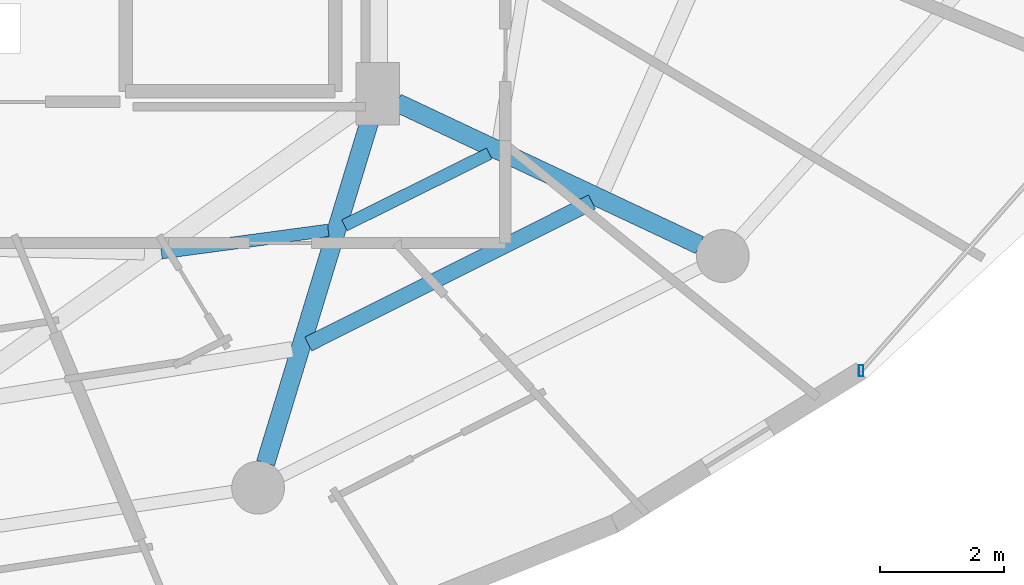
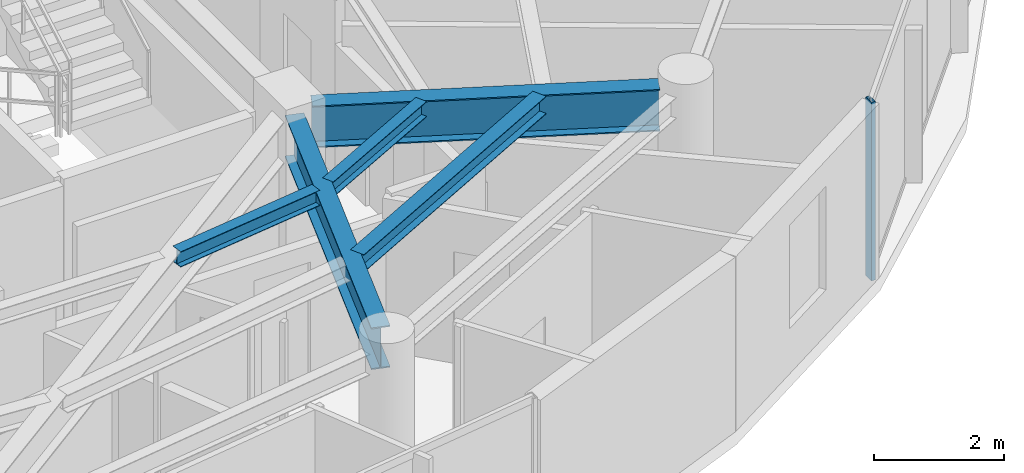
# One storey, part 12 of 31: 5 beams, 1 member, 1 element without a shape of its own.
"""IFC4 building model written with IfcOpenShell, lengths in metres."""

import ifcopenshell
import ifcopenshell.guid

model = None  # the IFC model being written
_history = None  # IfcOwnerHistory: only IFC2X3 demands one
_inside = {}  # id of a spatial element -> (the spatial element, [elements in it])
_under = {}  # id of a project, library or spatial element -> (it, [spatial elements below it])
_declared = {}  # id of a project -> (the project, [libraries it declares])
_typed = {}  # id of a type object -> (the type object, [elements of that type])
_made_of = {}  # id of a material, layer set ... -> (it, [elements and type objects made of it])


def new_model(schema):
    """Start an empty IFC model of exactly this schema.

    Asked for "IFC4X3", IfcOpenShell would pick the latest addendum, in which some entities
    have other attributes; the version numbers below select the first issue.
    IFC2X3 requires an IfcOwnerHistory on every rooted entity: one is made here for all.
    """
    global model, _history
    if schema == "IFC4X3":
        model = ifcopenshell.file(schema_version=(4, 3, 0, 0))
    else:
        model = ifcopenshell.file(schema=schema)
    _inside.clear()
    _under.clear()
    _declared.clear()
    _typed.clear()
    _made_of.clear()
    _history = None
    if model.schema == "IFC2X3":
        org = make("IfcOrganization", Name="unknown")
        user = make(
            "IfcPersonAndOrganization",
            ThePerson=make("IfcPerson", FamilyName="unknown"),
            TheOrganization=org,
        )
        app = make(
            "IfcApplication",
            ApplicationDeveloper=org,
            Version="unknown",
            ApplicationFullName="unknown",
            ApplicationIdentifier="unknown",
        )
        _history = make(
            "IfcOwnerHistory",
            OwningUser=user,
            OwningApplication=app,
            ChangeAction="ADDED",
            CreationDate=0,
        )
    return model


def make(cls, **values):
    """One entity of the class cls with the attributes given. An attribute that is None is left unset."""
    return model.create_entity(
        cls, **{name: value for name, value in values.items() if value is not None}
    )


def rooted(cls, **values):
    """An entity with a GlobalId (a new one), such as an element, a storey or a relation."""
    return make(cls, GlobalId=ifcopenshell.guid.new(), OwnerHistory=_history, **values)


def si_unit(unit_type, name, prefix=None):
    """IfcSIUnit, for example si_unit("LENGTHUNIT", "METRE", prefix="MILLI")."""
    return make("IfcSIUnit", UnitType=unit_type, Prefix=prefix, Name=name)


def assignment(units):
    """IfcUnitAssignment: the units of a project."""
    return None if units is None else make("IfcUnitAssignment", Units=units)


def point(xyz):
    """IfcCartesianPoint."""
    return None if xyz is None else make("IfcCartesianPoint", Coordinates=xyz)


def direction(xyz):
    """IfcDirection."""
    return None if xyz is None else make("IfcDirection", DirectionRatios=xyz)


def frame(location, z_axis=None, x_axis=None):
    """IfcAxis2Placement3D, a coordinate frame: its origin and axes. An axis left out is left unset."""
    return make(
        "IfcAxis2Placement3D",
        Location=point(location),
        Axis=direction(z_axis),
        RefDirection=direction(x_axis),
    )


def frame_2d(location, x_axis=None):
    """IfcAxis2Placement2D, a coordinate frame in the plane: its origin and x axis."""
    return make(
        "IfcAxis2Placement2D", Location=point(location), RefDirection=direction(x_axis)
    )


def origin():
    """The frame at (0, 0, 0) with its axes left unset."""
    return frame((0.0, 0.0, 0.0))


def origin_2d():
    """The frame at (0, 0) in the plane with its x axis left unset."""
    return frame_2d((0.0, 0.0))


def place(relative_to, where):
    """IfcLocalPlacement: puts the frame where relative to a parent placement (None: the world)."""
    return make(
        "IfcLocalPlacement", PlacementRelTo=relative_to, RelativePlacement=where
    )


def context(
    kind, dimensions, precision=None, world=None, true_north=None, identifier=None
):
    """IfcGeometricRepresentationContext, for example the 3D "Model" context."""
    return make(
        "IfcGeometricRepresentationContext",
        ContextIdentifier=identifier,
        ContextType=kind,
        CoordinateSpaceDimension=dimensions,
        Precision=precision,
        WorldCoordinateSystem=world,
        TrueNorth=true_north,
    )


def subcontext(parent, identifier, kind, view, scale=None):
    """IfcGeometricRepresentationSubContext, for example "Body" below "Model"."""
    return make(
        "IfcGeometricRepresentationSubContext",
        ContextIdentifier=identifier,
        ContextType=kind,
        ParentContext=parent,
        TargetScale=scale,
        TargetView=view,
    )


def project(units=None, contexts=None):
    """IfcProject with its units and contexts."""
    return rooted(
        "IfcProject",
        Name="project",
        RepresentationContexts=contexts,
        UnitsInContext=assignment(units),
    )


def spatial(cls, under=None, at=None, **own):
    """A site, building, storey or space (cls), placed at a placement, below another one or the project."""
    s = rooted(cls, ObjectPlacement=at, **own)
    if under is not None:
        _under.setdefault(under.id(), (under, []))[1].append(s)
    return s


def profile(cls, at=None, kind="AREA", **sizes):
    """A parametric profile (cls). Its sizes go by their IFC names, for example OverallWidth=200.0."""
    return make(cls, ProfileType=kind, Position=at, **sizes)


def hollow_rectangle(**sizes):
    """IfcRectangleHollowProfileDef."""
    return profile("IfcRectangleHollowProfileDef", **sizes)


def i_section(**sizes):
    """IfcIShapeProfileDef."""
    return profile("IfcIShapeProfileDef", **sizes)


def extrude(swept, where, along, depth):
    """IfcExtrudedAreaSolid: the profile swept, set in the frame where, extruded along a direction by depth."""
    return make(
        "IfcExtrudedAreaSolid",
        SweptArea=swept,
        Position=where,
        ExtrudedDirection=direction(along),
        Depth=depth,
    )


def shape(context_of_items, identifier, shape_type, items):
    """IfcShapeRepresentation: the items that make up one representation, for example the "Body"."""
    return make(
        "IfcShapeRepresentation",
        ContextOfItems=context_of_items,
        RepresentationIdentifier=identifier,
        RepresentationType=shape_type,
        Items=items,
    )


def material(Name=None, Category=None):
    """IfcMaterial."""
    return make("IfcMaterial", Name=Name, Category=Category)


def material_profile(
    of_material, cross_section, Name=None, Category=None, Priority=None
):
    """IfcMaterialProfile: a cross section and its material."""
    return make(
        "IfcMaterialProfile",
        Name=Name,
        Material=of_material,
        Profile=cross_section,
        Priority=Priority,
        Category=Category,
    )


def profile_set(profiles, Name=None, composite=None):
    """IfcMaterialProfileSet."""
    return make(
        "IfcMaterialProfileSet",
        Name=Name,
        MaterialProfiles=profiles,
        CompositeProfile=composite,
    )


def made_of(thing, what):
    """Note that an element or type object is made of a material, layer set ...; save() writes the relation."""
    if what is not None:
        _made_of.setdefault(what.id(), (what, []))[1].append(thing)
    return thing


def type_object(cls, material=None, **own):
    """A type object (cls), such as IfcWallType, which elements share."""
    return made_of(rooted(cls, **own), material)


def element(
    cls,
    number,
    at=None,
    inside=None,
    cuts=None,
    type_object=None,
    material=None,
    context=None,
    identifier="Body",
    shape_type=None,
    held_by="IfcProductDefinitionShape",
    body=None,
    shapes=None,
    **own,
):
    """One element of the class cls, such as IfcWall. Its Tag is "e" and its number.

    at: its placement. inside: the storey or other place that contains it. cuts: it is an
    opening in that element (IfcRelVoidsElement). A single representation is given by context,
    identifier, shape_type and body (its items); several are given by shapes. held_by: the class
    of the entity that holds the representations. save() writes the other relations.
    """
    e = rooted(cls, Tag="e%d" % number, ObjectPlacement=at, **own)
    if body is not None:
        shapes = [shape(context, identifier, shape_type, body)]
    if shapes is not None:
        e.Representation = make(held_by, Representations=shapes)
    if inside is not None:
        _inside.setdefault(inside.id(), (inside, []))[1].append(e)
    if cuts is not None:
        rooted(
            "IfcRelVoidsElement", RelatingBuildingElement=cuts, RelatedOpeningElement=e
        )
    if type_object is not None:
        _typed.setdefault(type_object.id(), (type_object, []))[1].append(e)
    return made_of(e, material)


def aggregate(whole, parts):
    """IfcRelAggregates: a whole, such as a stair, and the parts it consists of."""
    return rooted("IfcRelAggregates", RelatingObject=whole, RelatedObjects=parts)


def save(model, path):
    """Write the relations noted so far, then the file.

    IfcRelAggregates (storeys below a building ...), IfcRelContainedInSpatialStructure (elements
    in a storey), IfcRelDefinesByType, IfcRelAssociatesMaterial and IfcRelDeclares: one each for
    every whole, place, type object, material and project.
    """
    for whole, parts in _under.values():
        aggregate(whole, parts)
    for where, things in _inside.values():
        rooted(
            "IfcRelContainedInSpatialStructure",
            RelatedElements=things,
            RelatingStructure=where,
        )
    for kind, things in _typed.values():
        rooted("IfcRelDefinesByType", RelatedObjects=things, RelatingType=kind)
    for what, things in _made_of.values():
        rooted("IfcRelAssociatesMaterial", RelatedObjects=things, RelatingMaterial=what)
    for by, libraries in _declared.values():
        rooted("IfcRelDeclares", RelatingContext=by, RelatedDefinitions=libraries)
    model.write(path)


model = new_model("IFC4")

# Units and contexts
model_context = context("Model", 3, precision=1e-05, world=origin(), true_north=direction((0.0, 1.0)))
body_context = subcontext(model_context, "Body", "Model", "MODEL_VIEW")
ifc_project = project(units=[si_unit("LENGTHUNIT", "METRE"), si_unit("AREAUNIT", "SQUARE_METRE"), si_unit("VOLUMEUNIT", "CUBIC_METRE"), si_unit("PLANEANGLEUNIT", "RADIAN"), si_unit("MASSUNIT", "GRAM", prefix="KILO")], contexts=[model_context])

# Site, building, storey
site_placement = place(None, origin())
site = spatial("IfcSite", under=ifc_project, at=site_placement, CompositionType="ELEMENT")
building_placement = place(site_placement, origin())
building = spatial("IfcBuilding", under=site, at=building_placement, Name="Vorneva Point Tower", CompositionType="ELEMENT")
storey_placement = place(building_placement, frame((0.0, 0.0, 266.199951171875)))
storey = spatial("IfcBuildingStorey", under=building, at=storey_placement, Name="L72", CompositionType="ELEMENT", Elevation=266.199951171875)

# Beams
ifc_material_1 = material(Name="Steel S355", Category="steel")
ifc_material_profile_1 = material_profile(ifc_material_1, i_section(OverallWidth=0.300048828125, OverallDepth=0.7880859375, WebThickness=0.014404296875, FlangeThickness=0.02197265625, at=origin_2d()), Name="80Sh1")
ifc_profile_set_1 = profile_set([ifc_material_profile_1], Name="Steel S355")
beam_type_1 = type_object("IfcBeamType", Name="BM-GRD-80Sh1", PredefinedType="USERDEFINED", material=ifc_profile_set_1)
beam_1_placement = place(storey_placement, frame((46.941162109375, 10.50439453125, 2.89599609375), z_axis=(0.291032624293, 0.956713129207, 0.0), x_axis=(-0.956713129207, 0.291032624293, 0.0)))
element("IfcBeam", 1, at=beam_1_placement, inside=storey, type_object=beam_type_1, Name="L72 Radial Primary Girder 14", ObjectType="GIRDER", PredefinedType="USERDEFINED", context=body_context, shape_type="SweptSolid", body=[
    extrude(i_section(OverallWidth=0.300048828125, OverallDepth=0.7880859375, WebThickness=0.014404296875, FlangeThickness=0.02197265625, at=origin_2d()), origin(), (0.0, 0.0, 1.0), 5.874755859375),
])
beam_2_placement = place(storey_placement, frame((53.925048828125, 14.013671875, 2.89599609375), z_axis=(-0.904750812805, 0.425941271455, 0.0), x_axis=(-0.425941271455, -0.904750812805, 0.0)))
element("IfcBeam", 2, at=beam_2_placement, inside=storey, type_object=beam_type_1, Name="L72 Radial Primary Girder 15", ObjectType="GIRDER", PredefinedType="USERDEFINED", context=body_context, shape_type="SweptSolid", body=[
    extrude(i_section(OverallWidth=0.300048828125, OverallDepth=0.7880859375, WebThickness=0.014404296875, FlangeThickness=0.02197265625, at=origin_2d()), origin(), (0.0, 0.0, 1.0), 5.3798828125),
])
ifc_material_profile_2 = material_profile(ifc_material_1, i_section(OverallWidth=0.199951171875, OverallDepth=0.291015625, WebThickness=0.008056640625, FlangeThickness=0.010986328125, at=origin_2d()), Name="30Sh1")
ifc_profile_set_2 = profile_set([ifc_material_profile_2], Name="Steel S355")
beam_type_2 = type_object("IfcBeamType", Name="BM-SEC-30Sh1", PredefinedType="BEAM", material=ifc_profile_set_2)
beam_3_placement = place(storey_placement, frame((45.2646484375, 13.890869140625, 3.14453125), z_axis=(0.991092022882, 0.133178835332, 0.0), x_axis=(-0.133178835332, 0.991092022882, 0.0)))
element("IfcBeam", 3, at=beam_3_placement, inside=storey, type_object=beam_type_2, Name="L72 Secondary Floor Beam 2.13", PredefinedType="BEAM", context=body_context, shape_type="SweptSolid", body=[
    extrude(i_section(OverallWidth=0.199951171875, OverallDepth=0.291015625, WebThickness=0.008056640625, FlangeThickness=0.010986328125, at=origin_2d()), origin(), (0.0, 0.0, 1.0), 2.70947265625),
])
beam_4_placement = place(storey_placement, frame((48.210205078125, 14.331298828125, 3.14453125), z_axis=(0.895737278739, 0.444583768796, 0.0), x_axis=(-0.444583768796, 0.895737278739, 0.0)))
element("IfcBeam", 4, at=beam_4_placement, inside=storey, type_object=beam_type_2, Name="L72 Secondary Floor Beam 2.14", PredefinedType="BEAM", context=body_context, shape_type="SweptSolid", body=[
    extrude(i_section(OverallWidth=0.199951171875, OverallDepth=0.291015625, WebThickness=0.008056640625, FlangeThickness=0.010986328125, at=origin_2d()), origin(), (0.0, 0.0, 1.0), 2.601318359375),
])
ifc_material_profile_3 = material_profile(ifc_material_1, i_section(OverallWidth=0.2490234375, OverallDepth=0.333984375, WebThickness=0.008056640625, FlangeThickness=0.010986328125, at=origin_2d()), Name="35Sh1")
ifc_profile_set_3 = profile_set([ifc_material_profile_3], Name="Steel S355")
beam_type_3 = type_object("IfcBeamType", Name="BM-SEC-35Sh1", PredefinedType="BEAM", material=ifc_profile_set_3)
beam_5_placement = place(storey_placement, frame((47.62890625, 12.4208984375, 3.123046875), z_axis=(0.894121037804, 0.447825378643, 0.0), x_axis=(-0.447825378643, 0.894121037804, 0.0)))
element("IfcBeam", 5, at=beam_5_placement, inside=storey, type_object=beam_type_3, Name="L72 Secondary Floor Beam 1.14", PredefinedType="BEAM", context=body_context, shape_type="SweptSolid", body=[
    extrude(i_section(OverallWidth=0.2490234375, OverallDepth=0.333984375, WebThickness=0.008056640625, FlangeThickness=0.010986328125, at=origin_2d()), origin(), (0.0, 0.0, 1.0), 5.107177734375),
])

# Curtain wall, member
ifc_material_2 = material(Name="Pale anodised aluminium", Category="aluminium")
curtain_wall_type = type_object("IfcCurtainWallType", Name="CW-RES-SYS", PredefinedType="NOTDEFINED", material=ifc_material_2)
curtain_wall_placement = place(storey_placement, origin())
curtain_wall = element("IfcCurtainWall", 6, at=curtain_wall_placement, inside=storey, type_object=curtain_wall_type, Name="L72 Unitised Curtain Wall CW-L72-R01", PredefinedType="NOTDEFINED")
ifc_material_profile_4 = material_profile(ifc_material_2, hollow_rectangle(XDim=0.074951171875, YDim=0.179931640625, WallThickness=0.00390625, at=origin_2d()), Name="AL-MUL 180x75x4")
ifc_profile_set_4 = profile_set([ifc_material_profile_4], Name="Pale anodised aluminium")
member_type = type_object("IfcMemberType", Name="CW-MUL-180", PredefinedType="MULLION", material=ifc_profile_set_4)
member_placement = place(storey_placement, frame((56.526123046875, 11.9921875, -0.0400390625), z_axis=(0.0, 0.0, 1.0), x_axis=(1.0, 0.0, 0.0)))
member = element("IfcMember", 7, at=member_placement, type_object=member_type, Name="CW-L72-R01 Mullion 01", PredefinedType="MULLION", context=body_context, shape_type="SweptSolid", body=[
    extrude(hollow_rectangle(XDim=0.074951171875, YDim=0.179931640625, WallThickness=0.00390625, at=origin_2d()), origin(), (0.0, 0.0, 1.0), 3.360107421875),
])
aggregate(curtain_wall, [member])

save(model, "model.ifc")
